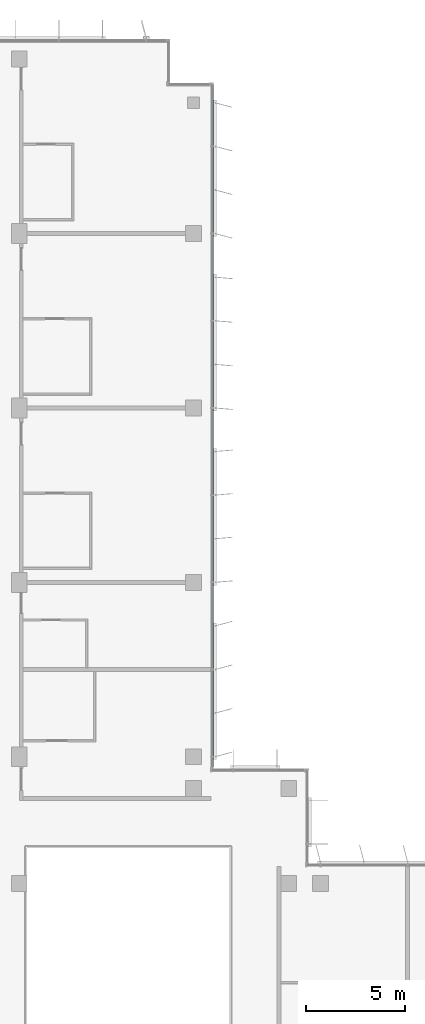
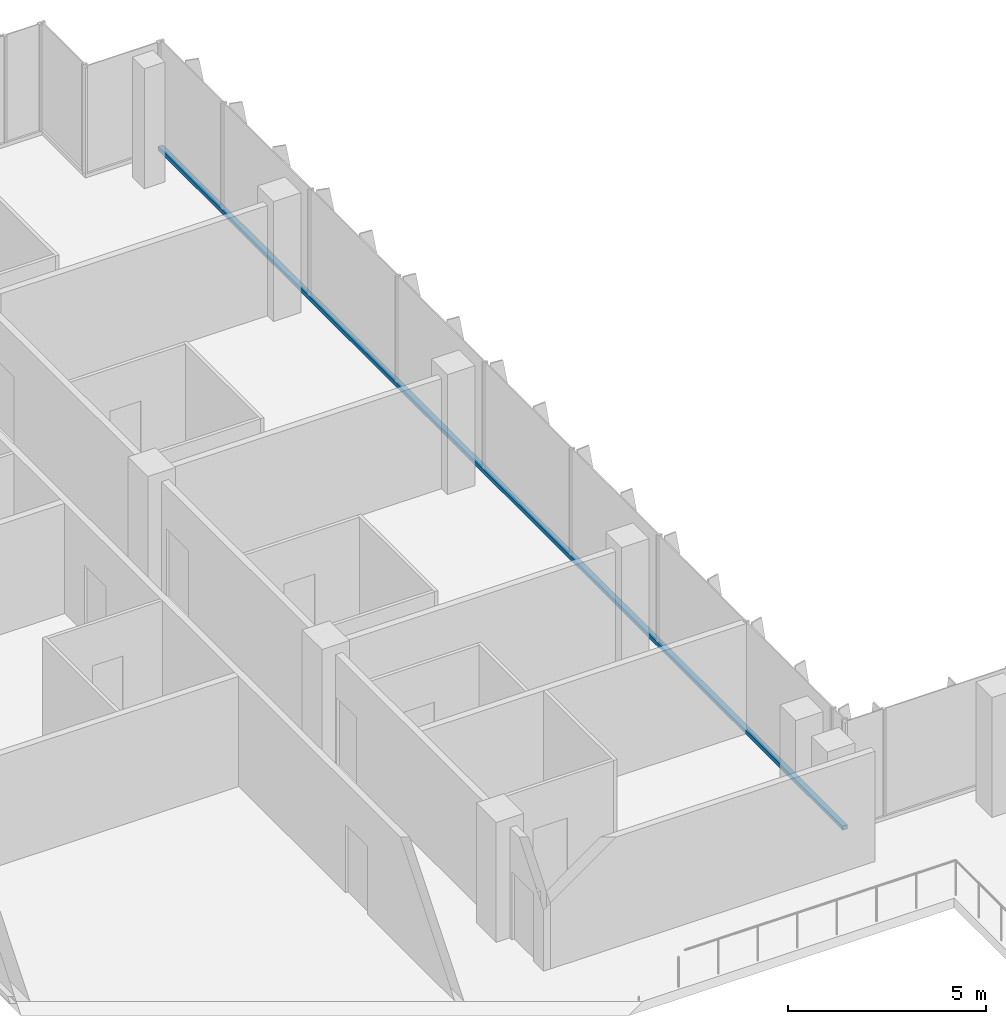
# One storey, part 5 of 15: 1 member, 1 element without a shape of its own.
"""IFC4 building model written with IfcOpenShell, lengths in metres."""

from ifc_helpers import new_model, si_unit, direction, frame, origin, origin_2d, place, context, subcontext, project, spatial, rectangle, extrude, material, material_profile, profile_set, type_object, element, aggregate, save


model = new_model("IFC4")

# Units and contexts
model_context = context("Model", 3, precision=1e-05, world=origin(), true_north=direction((0.0, 1.0)))
body_context = subcontext(model_context, "Body", "Model", "MODEL_VIEW")
ifc_project = project(units=[si_unit("LENGTHUNIT", "METRE"), si_unit("AREAUNIT", "SQUARE_METRE"), si_unit("VOLUMEUNIT", "CUBIC_METRE"), si_unit("PLANEANGLEUNIT", "RADIAN"), si_unit("MASSUNIT", "GRAM", prefix="KILO")], contexts=[model_context])

# Site, building, storey
site_placement = place(None, origin())
site = spatial("IfcSite", under=ifc_project, at=site_placement, CompositionType="ELEMENT")
building_placement = place(site_placement, origin())
building = spatial("IfcBuilding", under=site, at=building_placement, Name="Kemantara Hotel Tower", CompositionType="ELEMENT")
storey_placement = place(building_placement, frame((0.0, 0.0, 233.89990234375)))
storey = spatial("IfcBuildingStorey", under=building, at=storey_placement, Name="L58", CompositionType="ELEMENT", Elevation=233.89990234375)

# Curtain wall, member
ifc_material_1 = material(Name="Low-E tinted double insulated glass 36 mm", Category="glass")
curtain_wall_type = type_object("IfcCurtainWallType", Name="TOWER CURTAIN WALL, FRONT FACES", PredefinedType="USERDEFINED", material=ifc_material_1)
curtain_wall_placement = place(storey_placement, origin())
curtain_wall = element("IfcCurtainWall", 1, at=curtain_wall_placement, inside=storey, type_object=curtain_wall_type, Name="CW4 L58 T4-R15-1", ObjectType="TOWER CURTAIN WALL, FRONT FACES", PredefinedType="USERDEFINED")
ifc_material_2 = material(Name="Aluminium 6063-T6 bronze anodised", Category="aluminium")
ifc_material_profile = material_profile(ifc_material_2, rectangle(XDim=0.14990234375, YDim=0.1201171875, at=origin_2d()), Name="TOWER CURTAIN WALL, FRONT FACES TRANSOM")
ifc_profile_set = profile_set([ifc_material_profile], Name="Aluminium 6063-T6 bronze anodised")
member_type = type_object("IfcMemberType", Name="TOWER CURTAIN WALL, FRONT FACES TRANSOM", PredefinedType="USERDEFINED", material=ifc_profile_set)
member_placement = place(storey_placement, frame((21.925048828125, 26.800048828125, 0.06005859375), z_axis=(0.0, 1.0, 0.0), x_axis=(-1.0, 0.0, 0.0)))
member = element("IfcMember", 2, at=member_placement, type_object=member_type, Name="CW4 sill transom T4-R15-1", ObjectType="TRANSOM", PredefinedType="USERDEFINED", context=body_context, shape_type="SweptSolid", body=[
    extrude(rectangle(XDim=0.14990234375, YDim=0.1201171875, at=origin_2d()), origin(), (0.0, 0.0, 1.0), 34.599853515625),
])
aggregate(curtain_wall, [member])

save(model, "model.ifc")
